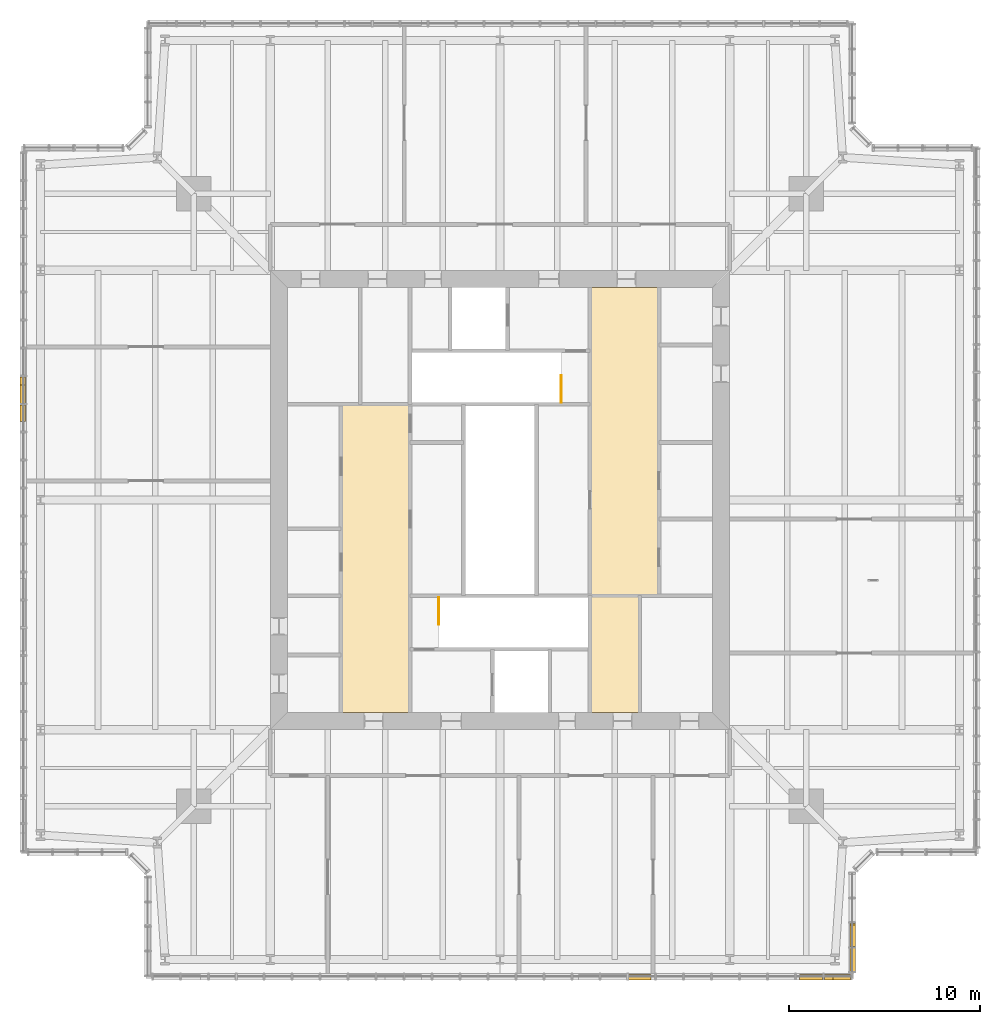
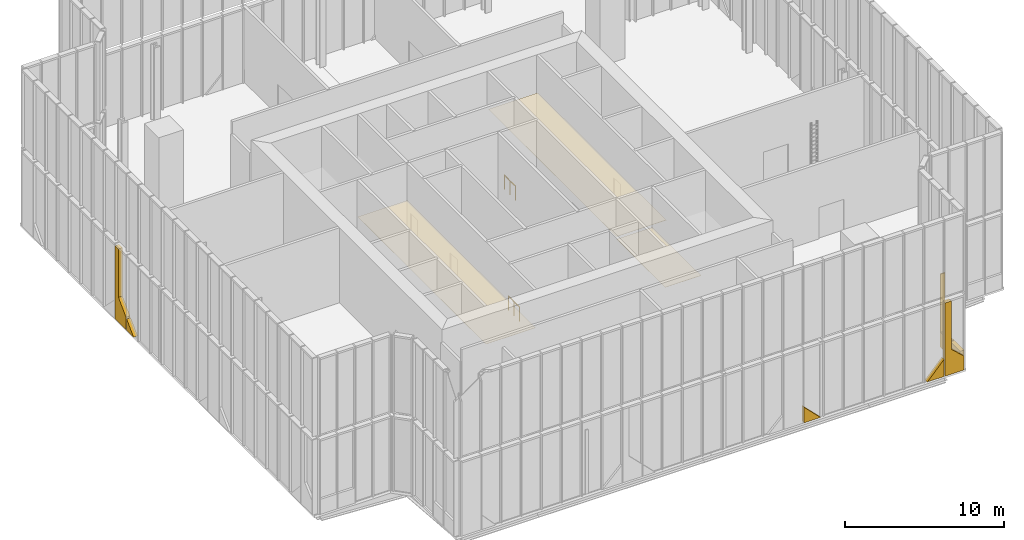
# One storey, part 21 of 25: 10 coverings, 2 railings.
"""IFC4 building model written with IfcOpenShell, lengths in metres."""

import ifcopenshell
import ifcopenshell.guid

model = None  # the IFC model being written
_history = None  # IfcOwnerHistory: only IFC2X3 demands one
_inside = {}  # id of a spatial element -> (the spatial element, [elements in it])
_under = {}  # id of a project, library or spatial element -> (it, [spatial elements below it])
_declared = {}  # id of a project -> (the project, [libraries it declares])
_typed = {}  # id of a type object -> (the type object, [elements of that type])
_made_of = {}  # id of a material, layer set ... -> (it, [elements and type objects made of it])


def new_model(schema):
    """Start an empty IFC model of exactly this schema.

    Asked for "IFC4X3", IfcOpenShell would pick the latest addendum, in which some entities
    have other attributes; the version numbers below select the first issue.
    IFC2X3 requires an IfcOwnerHistory on every rooted entity: one is made here for all.
    """
    global model, _history
    if schema == "IFC4X3":
        model = ifcopenshell.file(schema_version=(4, 3, 0, 0))
    else:
        model = ifcopenshell.file(schema=schema)
    _inside.clear()
    _under.clear()
    _declared.clear()
    _typed.clear()
    _made_of.clear()
    _history = None
    if model.schema == "IFC2X3":
        org = make("IfcOrganization", Name="unknown")
        user = make(
            "IfcPersonAndOrganization",
            ThePerson=make("IfcPerson", FamilyName="unknown"),
            TheOrganization=org,
        )
        app = make(
            "IfcApplication",
            ApplicationDeveloper=org,
            Version="unknown",
            ApplicationFullName="unknown",
            ApplicationIdentifier="unknown",
        )
        _history = make(
            "IfcOwnerHistory",
            OwningUser=user,
            OwningApplication=app,
            ChangeAction="ADDED",
            CreationDate=0,
        )
    return model


def make(cls, **values):
    """One entity of the class cls with the attributes given. An attribute that is None is left unset."""
    return model.create_entity(
        cls, **{name: value for name, value in values.items() if value is not None}
    )


def rooted(cls, **values):
    """An entity with a GlobalId (a new one), such as an element, a storey or a relation."""
    return make(cls, GlobalId=ifcopenshell.guid.new(), OwnerHistory=_history, **values)


def si_unit(unit_type, name, prefix=None):
    """IfcSIUnit, for example si_unit("LENGTHUNIT", "METRE", prefix="MILLI")."""
    return make("IfcSIUnit", UnitType=unit_type, Prefix=prefix, Name=name)


def assignment(units):
    """IfcUnitAssignment: the units of a project."""
    return None if units is None else make("IfcUnitAssignment", Units=units)


def point(xyz):
    """IfcCartesianPoint."""
    return None if xyz is None else make("IfcCartesianPoint", Coordinates=xyz)


def direction(xyz):
    """IfcDirection."""
    return None if xyz is None else make("IfcDirection", DirectionRatios=xyz)


def frame(location, z_axis=None, x_axis=None):
    """IfcAxis2Placement3D, a coordinate frame: its origin and axes. An axis left out is left unset."""
    return make(
        "IfcAxis2Placement3D",
        Location=point(location),
        Axis=direction(z_axis),
        RefDirection=direction(x_axis),
    )


def frame_2d(location, x_axis=None):
    """IfcAxis2Placement2D, a coordinate frame in the plane: its origin and x axis."""
    return make(
        "IfcAxis2Placement2D", Location=point(location), RefDirection=direction(x_axis)
    )


def origin():
    """The frame at (0, 0, 0) with its axes left unset."""
    return frame((0.0, 0.0, 0.0))


def origin_2d():
    """The frame at (0, 0) in the plane with its x axis left unset."""
    return frame_2d((0.0, 0.0))


def place(relative_to, where):
    """IfcLocalPlacement: puts the frame where relative to a parent placement (None: the world)."""
    return make(
        "IfcLocalPlacement", PlacementRelTo=relative_to, RelativePlacement=where
    )


def context(
    kind, dimensions, precision=None, world=None, true_north=None, identifier=None
):
    """IfcGeometricRepresentationContext, for example the 3D "Model" context."""
    return make(
        "IfcGeometricRepresentationContext",
        ContextIdentifier=identifier,
        ContextType=kind,
        CoordinateSpaceDimension=dimensions,
        Precision=precision,
        WorldCoordinateSystem=world,
        TrueNorth=true_north,
    )


def subcontext(parent, identifier, kind, view, scale=None):
    """IfcGeometricRepresentationSubContext, for example "Body" below "Model"."""
    return make(
        "IfcGeometricRepresentationSubContext",
        ContextIdentifier=identifier,
        ContextType=kind,
        ParentContext=parent,
        TargetScale=scale,
        TargetView=view,
    )


def project(units=None, contexts=None):
    """IfcProject with its units and contexts."""
    return rooted(
        "IfcProject",
        Name="project",
        RepresentationContexts=contexts,
        UnitsInContext=assignment(units),
    )


def spatial(cls, under=None, at=None, **own):
    """A site, building, storey or space (cls), placed at a placement, below another one or the project."""
    s = rooted(cls, ObjectPlacement=at, **own)
    if under is not None:
        _under.setdefault(under.id(), (under, []))[1].append(s)
    return s


def polyline(points):
    """IfcPolyline through the points."""
    return make("IfcPolyline", Points=[point(p) for p in points])


def profile(cls, at=None, kind="AREA", **sizes):
    """A parametric profile (cls). Its sizes go by their IFC names, for example OverallWidth=200.0."""
    return make(cls, ProfileType=kind, Position=at, **sizes)


def circle(**sizes):
    """IfcCircleProfileDef."""
    return profile("IfcCircleProfileDef", **sizes)


def outline(outer, holes=None, kind="AREA"):
    """IfcArbitraryClosedProfileDef: a profile drawn as a closed curve; with holes, ...WithVoids."""
    if holes is None:
        return make("IfcArbitraryClosedProfileDef", ProfileType=kind, OuterCurve=outer)
    return make(
        "IfcArbitraryProfileDefWithVoids",
        ProfileType=kind,
        OuterCurve=outer,
        InnerCurves=holes,
    )


def extrude(swept, where, along, depth):
    """IfcExtrudedAreaSolid: the profile swept, set in the frame where, extruded along a direction by depth."""
    return make(
        "IfcExtrudedAreaSolid",
        SweptArea=swept,
        Position=where,
        ExtrudedDirection=direction(along),
        Depth=depth,
    )


def shape(context_of_items, identifier, shape_type, items):
    """IfcShapeRepresentation: the items that make up one representation, for example the "Body"."""
    return make(
        "IfcShapeRepresentation",
        ContextOfItems=context_of_items,
        RepresentationIdentifier=identifier,
        RepresentationType=shape_type,
        Items=items,
    )


def material(Name=None, Category=None):
    """IfcMaterial."""
    return make("IfcMaterial", Name=Name, Category=Category)


def layer(
    of_material, thickness, ventilated=None, Name=None, Category=None, Priority=None
):
    """IfcMaterialLayer: one layer of a wall or slab, of a material (None: an air gap)."""
    return make(
        "IfcMaterialLayer",
        Material=of_material,
        LayerThickness=thickness,
        IsVentilated=ventilated,
        Name=Name,
        Category=Category,
        Priority=Priority,
    )


def layer_set(layers, Name=None):
    """IfcMaterialLayerSet."""
    return make("IfcMaterialLayerSet", MaterialLayers=layers, LayerSetName=Name)


def made_of(thing, what):
    """Note that an element or type object is made of a material, layer set ...; save() writes the relation."""
    if what is not None:
        _made_of.setdefault(what.id(), (what, []))[1].append(thing)
    return thing


def type_object(cls, material=None, **own):
    """A type object (cls), such as IfcWallType, which elements share."""
    return made_of(rooted(cls, **own), material)


def element(
    cls,
    number,
    at=None,
    inside=None,
    cuts=None,
    type_object=None,
    material=None,
    context=None,
    identifier="Body",
    shape_type=None,
    held_by="IfcProductDefinitionShape",
    body=None,
    shapes=None,
    **own,
):
    """One element of the class cls, such as IfcWall. Its Tag is "e" and its number.

    at: its placement. inside: the storey or other place that contains it. cuts: it is an
    opening in that element (IfcRelVoidsElement). A single representation is given by context,
    identifier, shape_type and body (its items); several are given by shapes. held_by: the class
    of the entity that holds the representations. save() writes the other relations.
    """
    e = rooted(cls, Tag="e%d" % number, ObjectPlacement=at, **own)
    if body is not None:
        shapes = [shape(context, identifier, shape_type, body)]
    if shapes is not None:
        e.Representation = make(held_by, Representations=shapes)
    if inside is not None:
        _inside.setdefault(inside.id(), (inside, []))[1].append(e)
    if cuts is not None:
        rooted(
            "IfcRelVoidsElement", RelatingBuildingElement=cuts, RelatedOpeningElement=e
        )
    if type_object is not None:
        _typed.setdefault(type_object.id(), (type_object, []))[1].append(e)
    return made_of(e, material)


def aggregate(whole, parts):
    """IfcRelAggregates: a whole, such as a stair, and the parts it consists of."""
    return rooted("IfcRelAggregates", RelatingObject=whole, RelatedObjects=parts)


def save(model, path):
    """Write the relations noted so far, then the file.

    IfcRelAggregates (storeys below a building ...), IfcRelContainedInSpatialStructure (elements
    in a storey), IfcRelDefinesByType, IfcRelAssociatesMaterial and IfcRelDeclares: one each for
    every whole, place, type object, material and project.
    """
    for whole, parts in _under.values():
        aggregate(whole, parts)
    for where, things in _inside.values():
        rooted(
            "IfcRelContainedInSpatialStructure",
            RelatedElements=things,
            RelatingStructure=where,
        )
    for kind, things in _typed.values():
        rooted("IfcRelDefinesByType", RelatedObjects=things, RelatingType=kind)
    for what, things in _made_of.values():
        rooted("IfcRelAssociatesMaterial", RelatedObjects=things, RelatingMaterial=what)
    for by, libraries in _declared.values():
        rooted("IfcRelDeclares", RelatingContext=by, RelatedDefinitions=libraries)
    model.write(path)


model = new_model("IFC4")

# Units and contexts
model_context = context("Model", 3, precision=1e-05, world=origin(), true_north=direction((0.0, 1.0)))
body_context = subcontext(model_context, "Body", "Model", "MODEL_VIEW")
ifc_project = project(units=[si_unit("LENGTHUNIT", "METRE"), si_unit("AREAUNIT", "SQUARE_METRE"), si_unit("VOLUMEUNIT", "CUBIC_METRE"), si_unit("PLANEANGLEUNIT", "RADIAN"), si_unit("MASSUNIT", "GRAM", prefix="KILO")], contexts=[model_context])

# Site, building, storey
site_placement = place(None, origin())
site = spatial("IfcSite", under=ifc_project, at=site_placement, CompositionType="ELEMENT")
building_placement = place(site_placement, origin())
building = spatial("IfcBuilding", under=site, at=building_placement, Name="Fenwick Lantern Interchange", CompositionType="ELEMENT")
storey_placement = place(building_placement, frame((0.0, 0.0, 307.800048828125)))
storey = spatial("IfcBuildingStorey", under=building, at=storey_placement, Name="L74", CompositionType="ELEMENT", Elevation=307.800048828125)

# Coverings
ifc_material_1 = material(Name="Granite cladding, warm grey flamed finish, on aluminium carrier frame", Category="masonry")
ifc_layer_1 = layer(ifc_material_1, 0.300048828125)
ifc_layer_set_1 = layer_set([ifc_layer_1], Name="BRACE CASING PANEL 300")
covering_type_1 = type_object("IfcCoveringType", Name="BRACE CASING PANEL 300", PredefinedType="CLADDING", material=ifc_layer_set_1)
covering_1_placement = place(storey_placement, frame((6.60009765625, 0.10009765625, 0.0), z_axis=(0.0, 0.0, 1.0), x_axis=(1.0, 0.0, 0.0)))
element("IfcCovering", 1, at=covering_1_placement, inside=storey, type_object=covering_type_1, Name="Brace casing 01 bay 17a", PredefinedType="CLADDING", context=body_context, shape_type="SweptSolid", body=[
    extrude(outline(polyline([(25.113525390625, 0.0), (26.295654296875, 0.0), (25.113525390625, 1.181884765625), (25.113525390625, 0.0)])), frame((0.0, 0.125, 0.0), z_axis=(0.0, -1.0, 0.0), x_axis=(1.0, 0.0, 0.0)), (0.0, 0.0, 1.0), 0.300048828125),
])
covering_2_placement = place(storey_placement, frame((6.60009765625, 0.10009765625, 0.0), z_axis=(0.0, 0.0, 1.0), x_axis=(1.0, 0.0, 0.0)))
element("IfcCovering", 2, at=covering_2_placement, inside=storey, type_object=covering_type_1, Name="Brace casing 01 bay 23a", PredefinedType="CLADDING", context=body_context, shape_type="SweptSolid", body=[
    extrude(outline(polyline([(34.053955078125, 0.0), (35.25927734375, 0.0), (35.25927734375, 1.314697265625), (34.053955078125, 0.0)])), frame((0.0, 0.125, 0.0), z_axis=(0.0, -1.0, 0.0), x_axis=(1.0, 0.0, 0.0)), (0.0, 0.0, 1.0), 0.300048828125),
])
covering_3_placement = place(storey_placement, frame((6.60009765625, 0.10009765625, 0.0), z_axis=(0.0, 0.0, 1.0), x_axis=(1.0, 0.0, 0.0)))
element("IfcCovering", 3, at=covering_3_placement, inside=storey, type_object=covering_type_1, Name="Brace casing 01 bay 24a", PredefinedType="CLADDING", context=body_context, shape_type="SweptSolid", body=[
    extrude(outline(polyline([(35.339111328125, 0.0), (36.719970703125, 0.0), (36.719970703125, 1.0400390625), (35.789306640625, 1.89306640625), (35.789306640625, 5.60986328125), (35.339111328125, 5.60986328125), (35.339111328125, 0.0)])), frame((0.0, 0.125, 0.0), z_axis=(0.0, -1.0, 0.0), x_axis=(1.0, 0.0, 0.0)), (0.0, 0.0, 1.0), 0.300048828125),
])
covering_4_placement = place(storey_placement, frame((43.39990234375, 0.10009765625, 0.0), z_axis=(0.0, 0.0, 1.0), x_axis=(0.0, 1.0, 0.0)))
element("IfcCovering", 4, at=covering_4_placement, inside=storey, type_object=covering_type_1, Name="Brace casing 02 bay 00a", PredefinedType="CLADDING", context=body_context, shape_type="SweptSolid", body=[
    extrude(outline(polyline([(0.280029296875, 0.0), (1.490234375, 0.0), (1.490234375, 1.14990234375), (0.280029296875, 1.14990234375), (0.280029296875, 0.0)])), frame((0.0, 0.125, 0.0), z_axis=(0.0, -1.0, 0.0), x_axis=(1.0, 0.0, 0.0)), (0.0, 0.0, 1.0), 0.300048828125),
])
covering_5_placement = place(storey_placement, frame((43.39990234375, 0.10009765625, 0.0), z_axis=(0.0, 0.0, 1.0), x_axis=(0.0, 1.0, 0.0)))
element("IfcCovering", 5, at=covering_5_placement, inside=storey, type_object=covering_type_1, Name="Brace casing 02 bay 01a", PredefinedType="CLADDING", context=body_context, shape_type="SweptSolid", body=[
    extrude(outline(polyline([(1.5703125, 0.0), (2.78076171875, 0.0), (2.78076171875, 5.60986328125), (2.699951171875, 5.60986328125), (2.699951171875, 1.14990234375), (1.5703125, 1.14990234375), (1.5703125, 0.0)])), frame((0.0, 0.125, 0.0), z_axis=(0.0, -1.0, 0.0), x_axis=(1.0, 0.0, 0.0)), (0.0, 0.0, 1.0), 0.300048828125),
])
covering_6_placement = place(storey_placement, frame((0.10009765625, 43.39990234375, 0.0), z_axis=(0.0, 0.0, 1.0), x_axis=(0.0, -1.0, 0.0)))
element("IfcCovering", 6, at=covering_6_placement, inside=storey, type_object=covering_type_1, Name="Brace casing 13 bay 08a", PredefinedType="CLADDING", context=body_context, shape_type="SweptSolid", body=[
    extrude(outline(polyline([(11.96630859375, 0.0), (13.34716796875, 0.0), (13.34716796875, 0.9482421875), (12.39990234375, 1.8955078125), (12.39990234375, 5.60986328125), (11.96630859375, 5.60986328125), (11.96630859375, 0.0)])), frame((0.0, 0.125, 0.0), z_axis=(0.0, -1.0, 0.0), x_axis=(1.0, 0.0, 0.0)), (0.0, 0.0, 1.0), 0.300048828125),
])
covering_7_placement = place(storey_placement, frame((0.10009765625, 43.39990234375, 0.0), z_axis=(0.0, 0.0, 1.0), x_axis=(0.0, -1.0, 0.0)))
element("IfcCovering", 7, at=covering_7_placement, inside=storey, type_object=covering_type_1, Name="Brace casing 13 bay 09a", PredefinedType="CLADDING", context=body_context, shape_type="SweptSolid", body=[
    extrude(outline(polyline([(13.42724609375, 0.0), (14.295654296875, 0.0), (13.42724609375, 0.868408203125), (13.42724609375, 0.0)])), frame((0.0, 0.125, 0.0), z_axis=(0.0, -1.0, 0.0), x_axis=(1.0, 0.0, 0.0)), (0.0, 0.0, 1.0), 0.300048828125),
])
ifc_material_2 = material(Name="Moisture resistant gypsum board on suspended frame, painted")
ifc_layer_2 = layer(ifc_material_2, 0.014892578125)
ifc_layer_set_2 = layer_set([ifc_layer_2], Name="MOISTURE RESISTANT CEILING 15")
covering_type_2 = type_object("IfcCoveringType", Name="MOISTURE RESISTANT CEILING 15", PredefinedType="CEILING", material=ifc_layer_set_2)
covering_8_placement = place(storey_placement, frame((0.0, 0.0, 2.599853515625)))
element("IfcCovering", 8, at=covering_8_placement, inside=storey, type_object=covering_type_2, Name="Men's WC ceiling", PredefinedType="CEILING", context=body_context, shape_type="SweptSolid", body=[
    extrude(outline(polyline([(29.699951171875, 13.89990234375), (32.300048828125, 13.89990234375), (32.300048828125, 20.0), (29.699951171875, 20.0), (29.699951171875, 13.89990234375)])), origin(), (0.0, 0.0, 1.0), 0.01513671875),
])
ifc_material_3 = material(Name="Gypsum plasterboard on suspended frame, painted")
ifc_layer_3 = layer(ifc_material_3, 0.014892578125)
ifc_layer_set_3 = layer_set([ifc_layer_3], Name="PLASTERBOARD CEILING 15")
covering_type_3 = type_object("IfcCoveringType", Name="PLASTERBOARD CEILING 15", PredefinedType="CEILING", material=ifc_layer_set_3)
covering_9_placement = place(storey_placement, frame((0.0, 0.0, 2.800048828125)))
element("IfcCovering", 9, at=covering_9_placement, inside=storey, type_object=covering_type_3, Name="Lift lobby ceiling", PredefinedType="CEILING", context=body_context, shape_type="SweptSolid", body=[
    extrude(outline(polyline([(16.699951171875, 13.89990234375), (20.300048828125, 13.89990234375), (20.300048828125, 30.0), (16.699951171875, 30.0), (16.699951171875, 13.89990234375)])), origin(), (0.0, 0.0, 1.0), 0.014892578125),
])
covering_10_placement = place(storey_placement, frame((0.0, 0.0, 2.800048828125)))
element("IfcCovering", 10, at=covering_10_placement, inside=storey, type_object=covering_type_3, Name="Lift lobby ceiling", PredefinedType="CEILING", context=body_context, shape_type="SweptSolid", body=[
    extrude(outline(polyline([(33.300048828125, 36.10009765625), (29.699951171875, 36.10009765625), (29.699951171875, 20.0), (33.300048828125, 20.0), (33.300048828125, 36.10009765625)])), origin(), (0.0, 0.0, 1.0), 0.014892578125),
])

# Railings
ifc_material_4 = material(Name="Stainless steel stair guard", Category="steel")
railing_type = type_object("IfcRailingType", Name="STAIR GUARD 1100", PredefinedType="GUARDRAIL", material=ifc_material_4)
railing_1_placement = place(storey_placement, frame((21.800048828125, 18.5, 0.0)))
element("IfcRailing", 11, at=railing_1_placement, inside=storey, type_object=railing_type, Name="Stair well guard", PredefinedType="GUARDRAIL", context=body_context, shape_type="SweptSolid", body=[
    extrude(circle(Radius=0.02392578125, at=origin_2d()), frame((0.0, 0.0, 1.076171875), z_axis=(0.0, 1.0, 0.0), x_axis=(-1.0, 0.0, 0.0)), (0.0, 0.0, 1.0), 1.39990234375),
    extrude(circle(Radius=0.02099609375, at=origin_2d()), origin(), (0.0, 0.0, 1.0), 1.052001953125),
    extrude(circle(Radius=0.02099609375, at=origin_2d()), frame((0.0, 0.699951171875, 0.0)), (0.0, 0.0, 1.0), 1.052001953125),
    extrude(circle(Radius=0.02099609375, at=origin_2d()), frame((0.0, 1.39990234375, 0.0)), (0.0, 0.0, 1.0), 1.052001953125),
])
railing_2_placement = place(storey_placement, frame((28.199951171875, 31.5, 0.0)))
element("IfcRailing", 12, at=railing_2_placement, inside=storey, type_object=railing_type, Name="Stair well guard", PredefinedType="GUARDRAIL", context=body_context, shape_type="SweptSolid", body=[
    extrude(circle(Radius=0.02392578125, at=origin_2d()), frame((0.0, 0.0, 1.076171875), z_axis=(0.0, -1.0, 0.0), x_axis=(1.0, 0.0, 0.0)), (0.0, 0.0, 1.0), 1.39990234375),
    extrude(circle(Radius=0.02099609375, at=origin_2d()), origin(), (0.0, 0.0, 1.0), 1.052001953125),
    extrude(circle(Radius=0.02099609375, at=origin_2d()), frame((0.0, -0.699951171875, 0.0)), (0.0, 0.0, 1.0), 1.052001953125),
    extrude(circle(Radius=0.02099609375, at=origin_2d()), frame((0.0, -1.39990234375, 0.0)), (0.0, 0.0, 1.0), 1.052001953125),
])

save(model, "model.ifc")
